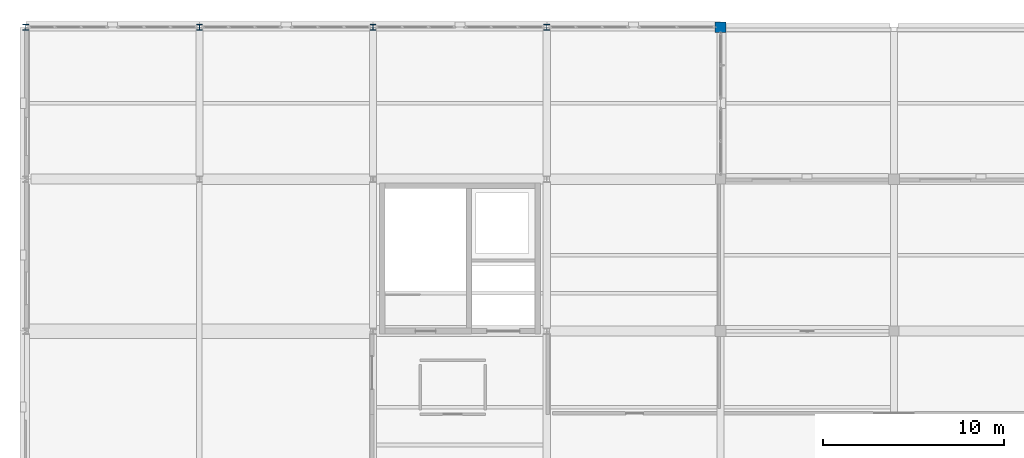
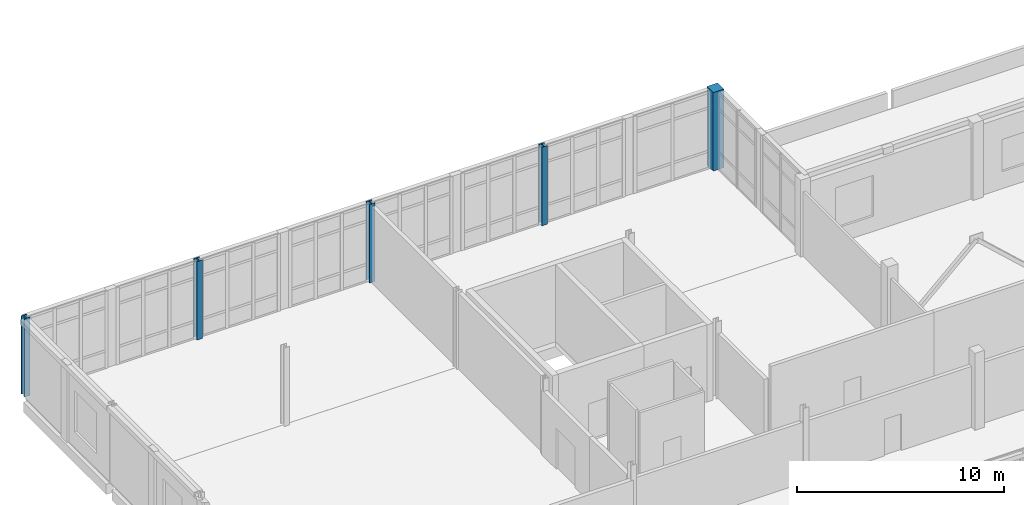
# One storey, part 5 of 88: 5 columns.
"""IFC4 building model written with IfcOpenShell, lengths in metres."""

from ifc_helpers import new_model, si_unit, direction, frame, origin, origin_2d, place, context, subcontext, project, spatial, rectangle, i_section, extrude, material, material_profile, profile_set, type_object, element, save


model = new_model("IFC4")

# Units and contexts
model_context = context("Model", 3, precision=1e-05, world=origin(), true_north=direction((0.0, 1.0)))
body_context = subcontext(model_context, "Body", "Model", "MODEL_VIEW")
ifc_project = project(units=[si_unit("LENGTHUNIT", "METRE"), si_unit("AREAUNIT", "SQUARE_METRE"), si_unit("VOLUMEUNIT", "CUBIC_METRE"), si_unit("PLANEANGLEUNIT", "RADIAN"), si_unit("MASSUNIT", "GRAM", prefix="KILO")], contexts=[model_context])

# Site, building, storey
site_placement = place(None, origin())
site = spatial("IfcSite", under=ifc_project, at=site_placement, CompositionType="ELEMENT")
building_placement = place(site_placement, origin())
building = spatial("IfcBuilding", under=site, at=building_placement, Name="Lornevale Opera House", CompositionType="ELEMENT")
storey_placement = place(building_placement, frame((0.0, 0.0, 10.199951171875)))
storey = spatial("IfcBuildingStorey", under=building, at=storey_placement, Name="L03", CompositionType="ELEMENT", Elevation=10.199951171875)

# Columns
ifc_material_1 = material(Name="Concrete 35 MPa (CSA A23.1 N)", Category="concrete")
ifc_material_profile_1 = material_profile(ifc_material_1, rectangle(XDim=0.60009765625, YDim=0.60009765625, at=origin_2d()), Name="RC600x600")
ifc_profile_set_1 = profile_set([ifc_material_profile_1], Name="Concrete 35 MPa (CSA A23.1 N)")
column_type_1 = type_object("IfcColumnType", Name="Concrete Column 600x600", PredefinedType="COLUMN", material=ifc_profile_set_1)
column_placement = place(storey_placement, frame((38.39990234375, 100.800048828125, 0.0), z_axis=(0.0, 0.0, 1.0), x_axis=(1.0, 0.0, 0.0)))
element("IfcColumn", 1, at=column_placement, inside=storey, type_object=column_type_1, Name="Concrete Column 600x600 0279", PredefinedType="COLUMN", context=body_context, shape_type="SweptSolid", body=[
    extrude(rectangle(XDim=0.60009765625, YDim=0.60009765625, at=origin_2d()), origin(), (0.0, 0.0, 1.0), 4.6201171875),
])
ifc_material_2 = material(Name="Structural Steel CSA G40.21 Grade 350W (350 MPa)", Category="steel")
ifc_material_profile_2 = material_profile(ifc_material_2, i_section(OverallWidth=0.30908203125, OverallDepth=0.322998046875, WebThickness=0.013916015625, FlangeThickness=0.02294921875, at=origin_2d()), Name="W310x143")
ifc_profile_set_2 = profile_set([ifc_material_profile_2], Name="Structural Steel CSA G40.21 Grade 350W (350 MPa)")
column_type_2 = type_object("IfcColumnType", Name="Steel Clerestory Post W310x143", PredefinedType="COLUMN", material=ifc_profile_set_2)
for number, where, z_axis, x_axis, name in (
    (2, (0.0, 100.800048828125, 0.0), (0.0, 0.0, 1.0), (1.0, 0.0, 0.0), "Steel Clerestory Post W310x143 0053"),
    (3, (9.60009765625, 100.800048828125, 0.0), (0.0, 0.0, 1.0), (1.0, 0.0, 0.0), "Steel Clerestory Post W310x143 0100"),
    (4, (19.199951171875, 100.800048828125, 0.0), (0.0, 0.0, 1.0), (1.0, 0.0, 0.0), "Steel Clerestory Post W310x143 0153"),
    (5, (28.800048828125, 100.800048828125, 0.0), (0.0, 0.0, 1.0), (1.0, 0.0, 0.0), "Steel Clerestory Post W310x143 0214"),
):
    element("IfcColumn", number, at=place(storey_placement, frame(where, z_axis=z_axis, x_axis=x_axis)), inside=storey, type_object=column_type_2, Name=name, PredefinedType="COLUMN", context=body_context, shape_type="SweptSolid", body=[
        extrude(i_section(OverallWidth=0.30908203125, OverallDepth=0.322998046875, WebThickness=0.013916015625, FlangeThickness=0.02294921875, at=origin_2d()), origin(), (0.0, 0.0, 1.0), 4.6201171875),
    ])

save(model, "model.ifc")
